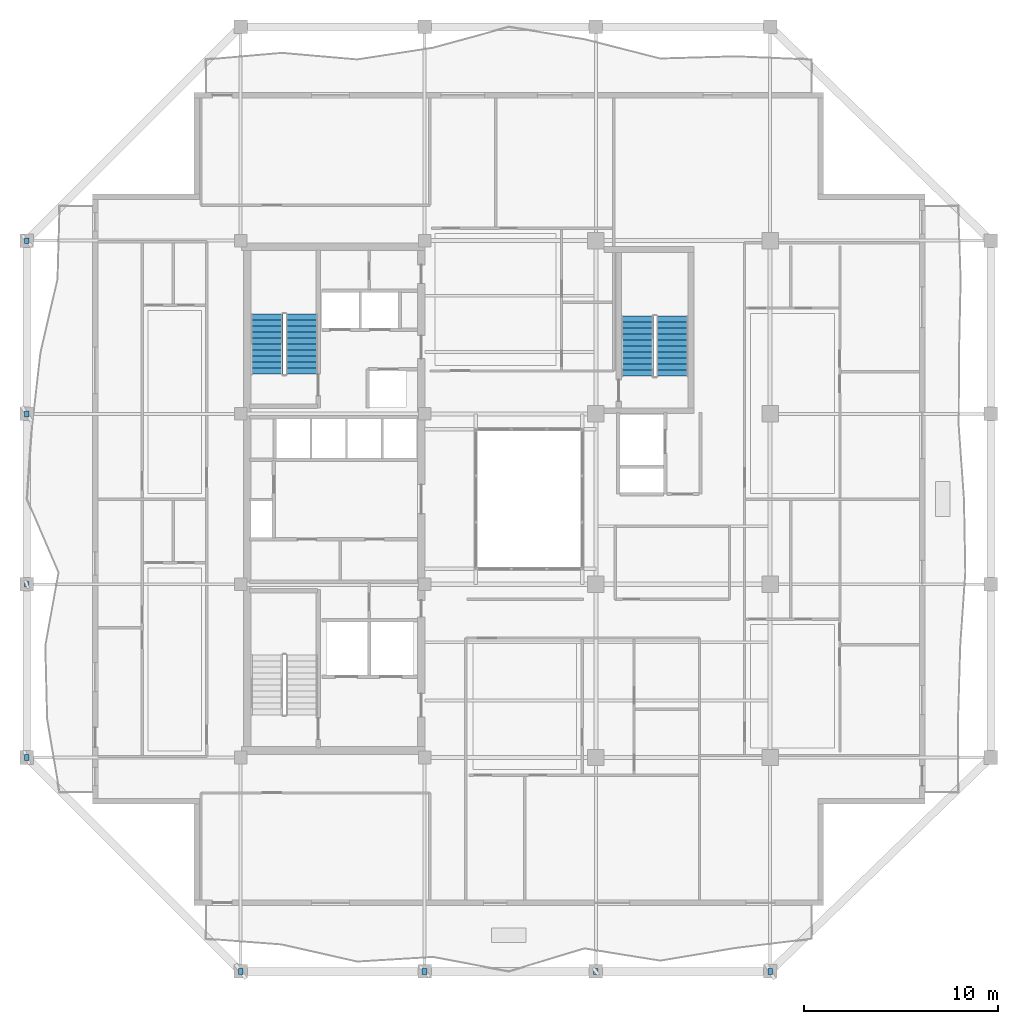
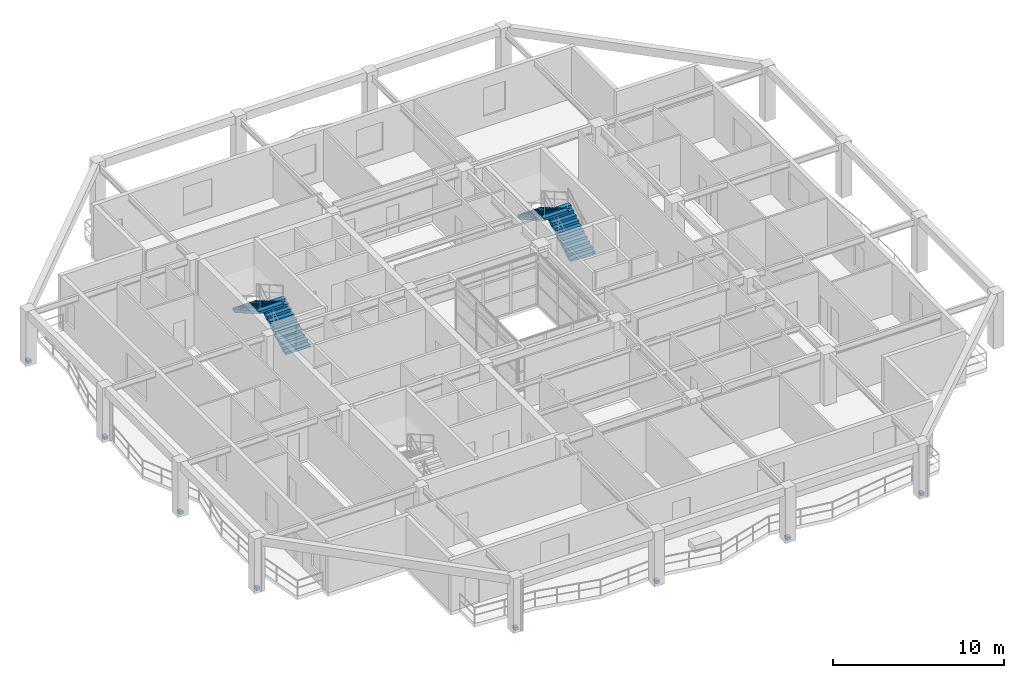
# One storey, part 10 of 15: 8 discrete accessories, 4 stair flights, 2 elements without a shape of their own.
"""IFC4 building model written with IfcOpenShell, lengths in metres."""

import ifcopenshell
import ifcopenshell.guid

model = None  # the IFC model being written
_history = None  # IfcOwnerHistory: only IFC2X3 demands one
_inside = {}  # id of a spatial element -> (the spatial element, [elements in it])
_under = {}  # id of a project, library or spatial element -> (it, [spatial elements below it])
_declared = {}  # id of a project -> (the project, [libraries it declares])
_typed = {}  # id of a type object -> (the type object, [elements of that type])
_made_of = {}  # id of a material, layer set ... -> (it, [elements and type objects made of it])


def new_model(schema):
    """Start an empty IFC model of exactly this schema.

    Asked for "IFC4X3", IfcOpenShell would pick the latest addendum, in which some entities
    have other attributes; the version numbers below select the first issue.
    IFC2X3 requires an IfcOwnerHistory on every rooted entity: one is made here for all.
    """
    global model, _history
    if schema == "IFC4X3":
        model = ifcopenshell.file(schema_version=(4, 3, 0, 0))
    else:
        model = ifcopenshell.file(schema=schema)
    _inside.clear()
    _under.clear()
    _declared.clear()
    _typed.clear()
    _made_of.clear()
    _history = None
    if model.schema == "IFC2X3":
        org = make("IfcOrganization", Name="unknown")
        user = make(
            "IfcPersonAndOrganization",
            ThePerson=make("IfcPerson", FamilyName="unknown"),
            TheOrganization=org,
        )
        app = make(
            "IfcApplication",
            ApplicationDeveloper=org,
            Version="unknown",
            ApplicationFullName="unknown",
            ApplicationIdentifier="unknown",
        )
        _history = make(
            "IfcOwnerHistory",
            OwningUser=user,
            OwningApplication=app,
            ChangeAction="ADDED",
            CreationDate=0,
        )
    return model


def make(cls, **values):
    """One entity of the class cls with the attributes given. An attribute that is None is left unset."""
    return model.create_entity(
        cls, **{name: value for name, value in values.items() if value is not None}
    )


def rooted(cls, **values):
    """An entity with a GlobalId (a new one), such as an element, a storey or a relation."""
    return make(cls, GlobalId=ifcopenshell.guid.new(), OwnerHistory=_history, **values)


def si_unit(unit_type, name, prefix=None):
    """IfcSIUnit, for example si_unit("LENGTHUNIT", "METRE", prefix="MILLI")."""
    return make("IfcSIUnit", UnitType=unit_type, Prefix=prefix, Name=name)


def assignment(units):
    """IfcUnitAssignment: the units of a project."""
    return None if units is None else make("IfcUnitAssignment", Units=units)


def point(xyz):
    """IfcCartesianPoint."""
    return None if xyz is None else make("IfcCartesianPoint", Coordinates=xyz)


def direction(xyz):
    """IfcDirection."""
    return None if xyz is None else make("IfcDirection", DirectionRatios=xyz)


def frame(location, z_axis=None, x_axis=None):
    """IfcAxis2Placement3D, a coordinate frame: its origin and axes. An axis left out is left unset."""
    return make(
        "IfcAxis2Placement3D",
        Location=point(location),
        Axis=direction(z_axis),
        RefDirection=direction(x_axis),
    )


def frame_2d(location, x_axis=None):
    """IfcAxis2Placement2D, a coordinate frame in the plane: its origin and x axis."""
    return make(
        "IfcAxis2Placement2D", Location=point(location), RefDirection=direction(x_axis)
    )


def origin():
    """The frame at (0, 0, 0) with its axes left unset."""
    return frame((0.0, 0.0, 0.0))


def origin_2d():
    """The frame at (0, 0) in the plane with its x axis left unset."""
    return frame_2d((0.0, 0.0))


def place(relative_to, where):
    """IfcLocalPlacement: puts the frame where relative to a parent placement (None: the world)."""
    return make(
        "IfcLocalPlacement", PlacementRelTo=relative_to, RelativePlacement=where
    )


def context(
    kind, dimensions, precision=None, world=None, true_north=None, identifier=None
):
    """IfcGeometricRepresentationContext, for example the 3D "Model" context."""
    return make(
        "IfcGeometricRepresentationContext",
        ContextIdentifier=identifier,
        ContextType=kind,
        CoordinateSpaceDimension=dimensions,
        Precision=precision,
        WorldCoordinateSystem=world,
        TrueNorth=true_north,
    )


def subcontext(parent, identifier, kind, view, scale=None):
    """IfcGeometricRepresentationSubContext, for example "Body" below "Model"."""
    return make(
        "IfcGeometricRepresentationSubContext",
        ContextIdentifier=identifier,
        ContextType=kind,
        ParentContext=parent,
        TargetScale=scale,
        TargetView=view,
    )


def project(units=None, contexts=None):
    """IfcProject with its units and contexts."""
    return rooted(
        "IfcProject",
        Name="project",
        RepresentationContexts=contexts,
        UnitsInContext=assignment(units),
    )


def spatial(cls, under=None, at=None, **own):
    """A site, building, storey or space (cls), placed at a placement, below another one or the project."""
    s = rooted(cls, ObjectPlacement=at, **own)
    if under is not None:
        _under.setdefault(under.id(), (under, []))[1].append(s)
    return s


def polyline(points):
    """IfcPolyline through the points."""
    return make("IfcPolyline", Points=[point(p) for p in points])


def profile(cls, at=None, kind="AREA", **sizes):
    """A parametric profile (cls). Its sizes go by their IFC names, for example OverallWidth=200.0."""
    return make(cls, ProfileType=kind, Position=at, **sizes)


def rectangle(**sizes):
    """IfcRectangleProfileDef."""
    return profile("IfcRectangleProfileDef", **sizes)


def outline(outer, holes=None, kind="AREA"):
    """IfcArbitraryClosedProfileDef: a profile drawn as a closed curve; with holes, ...WithVoids."""
    if holes is None:
        return make("IfcArbitraryClosedProfileDef", ProfileType=kind, OuterCurve=outer)
    return make(
        "IfcArbitraryProfileDefWithVoids",
        ProfileType=kind,
        OuterCurve=outer,
        InnerCurves=holes,
    )


def extrude(swept, where, along, depth):
    """IfcExtrudedAreaSolid: the profile swept, set in the frame where, extruded along a direction by depth."""
    return make(
        "IfcExtrudedAreaSolid",
        SweptArea=swept,
        Position=where,
        ExtrudedDirection=direction(along),
        Depth=depth,
    )


def shape(context_of_items, identifier, shape_type, items):
    """IfcShapeRepresentation: the items that make up one representation, for example the "Body"."""
    return make(
        "IfcShapeRepresentation",
        ContextOfItems=context_of_items,
        RepresentationIdentifier=identifier,
        RepresentationType=shape_type,
        Items=items,
    )


def material(Name=None, Category=None):
    """IfcMaterial."""
    return make("IfcMaterial", Name=Name, Category=Category)


def made_of(thing, what):
    """Note that an element or type object is made of a material, layer set ...; save() writes the relation."""
    if what is not None:
        _made_of.setdefault(what.id(), (what, []))[1].append(thing)
    return thing


def type_object(cls, material=None, **own):
    """A type object (cls), such as IfcWallType, which elements share."""
    return made_of(rooted(cls, **own), material)


def element(
    cls,
    number,
    at=None,
    inside=None,
    cuts=None,
    type_object=None,
    material=None,
    context=None,
    identifier="Body",
    shape_type=None,
    held_by="IfcProductDefinitionShape",
    body=None,
    shapes=None,
    **own,
):
    """One element of the class cls, such as IfcWall. Its Tag is "e" and its number.

    at: its placement. inside: the storey or other place that contains it. cuts: it is an
    opening in that element (IfcRelVoidsElement). A single representation is given by context,
    identifier, shape_type and body (its items); several are given by shapes. held_by: the class
    of the entity that holds the representations. save() writes the other relations.
    """
    e = rooted(cls, Tag="e%d" % number, ObjectPlacement=at, **own)
    if body is not None:
        shapes = [shape(context, identifier, shape_type, body)]
    if shapes is not None:
        e.Representation = make(held_by, Representations=shapes)
    if inside is not None:
        _inside.setdefault(inside.id(), (inside, []))[1].append(e)
    if cuts is not None:
        rooted(
            "IfcRelVoidsElement", RelatingBuildingElement=cuts, RelatedOpeningElement=e
        )
    if type_object is not None:
        _typed.setdefault(type_object.id(), (type_object, []))[1].append(e)
    return made_of(e, material)


def aggregate(whole, parts):
    """IfcRelAggregates: a whole, such as a stair, and the parts it consists of."""
    return rooted("IfcRelAggregates", RelatingObject=whole, RelatedObjects=parts)


def save(model, path):
    """Write the relations noted so far, then the file.

    IfcRelAggregates (storeys below a building ...), IfcRelContainedInSpatialStructure (elements
    in a storey), IfcRelDefinesByType, IfcRelAssociatesMaterial and IfcRelDeclares: one each for
    every whole, place, type object, material and project.
    """
    for whole, parts in _under.values():
        aggregate(whole, parts)
    for where, things in _inside.values():
        rooted(
            "IfcRelContainedInSpatialStructure",
            RelatedElements=things,
            RelatingStructure=where,
        )
    for kind, things in _typed.values():
        rooted("IfcRelDefinesByType", RelatedObjects=things, RelatingType=kind)
    for what, things in _made_of.values():
        rooted("IfcRelAssociatesMaterial", RelatedObjects=things, RelatingMaterial=what)
    for by, libraries in _declared.values():
        rooted("IfcRelDeclares", RelatingContext=by, RelatedDefinitions=libraries)
    model.write(path)


model = new_model("IFC4")

# Units and contexts
model_context = context("Model", 3, precision=1e-05, world=origin(), true_north=direction((0.0, 1.0)))
body_context = subcontext(model_context, "Body", "Model", "MODEL_VIEW")
ifc_project = project(units=[si_unit("LENGTHUNIT", "METRE"), si_unit("AREAUNIT", "SQUARE_METRE"), si_unit("VOLUMEUNIT", "CUBIC_METRE"), si_unit("PLANEANGLEUNIT", "RADIAN"), si_unit("MASSUNIT", "GRAM", prefix="KILO")], contexts=[model_context])

# Site, building, storey
site_placement = place(None, origin())
site = spatial("IfcSite", under=ifc_project, at=site_placement, CompositionType="ELEMENT")
building_placement = place(site_placement, origin())
building = spatial("IfcBuilding", under=site, at=building_placement, Name="Kundavana Baori Tower", CompositionType="ELEMENT")
storey_placement = place(building_placement, frame((0.0, 0.0, 214.10009765625)))
storey = spatial("IfcBuildingStorey", under=building, at=storey_placement, Name="L52", CompositionType="ELEMENT", Elevation=214.10009765625)

# Stair, stair flights
ifc_material_1 = material(Name="Concrete C40/50", Category="concrete")
stair_type = type_object("IfcStairType", Name="STR-DOG-1650", PredefinedType="HALF_TURN_STAIR", material=ifc_material_1)
stair_1_placement = place(storey_placement, origin())
stair_1 = element("IfcStair", 1, at=stair_1_placement, inside=storey, type_object=stair_type, Name="L52 Protected Exit Stair ST2", PredefinedType="HALF_TURN_STAIR")
ifc_material_2 = material(Name="Concrete C40/50", Category="concrete")
stair_flight_type = type_object("IfcStairFlightType", Name="SFL-RC-1650", PredefinedType="STRAIGHT", material=ifc_material_2)
stair_flight_1_placement = place(storey_placement, frame((18.614990234375, 35.050048828125, 0.0), z_axis=(0.0, 0.0, 1.0), x_axis=(0.0, 1.0, 0.0)))
stair_flight_1 = element("IfcStairFlight", 2, at=stair_flight_1_placement, type_object=stair_flight_type, Name="ST2 flight 1", NumberOfRisers=11, NumberOfTreads=10, PredefinedType="STRAIGHT", RiserHeight=0.177272727, TreadLength=0.31, context=body_context, shape_type="SweptSolid", body=[
    extrude(outline(polyline([(0.0, 0.0), (0.0, 0.17724609375), (0.31005859375, 0.17724609375), (0.31005859375, 0.3544921875), (0.6201171875, 0.3544921875), (0.6201171875, 0.53173828125), (0.929931640625, 0.53173828125), (0.929931640625, 0.708984375), (1.239990234375, 0.708984375), (1.239990234375, 0.886474609375), (1.550048828125, 0.886474609375), (1.550048828125, 1.063720703125), (1.860107421875, 1.063720703125), (1.860107421875, 1.240966796875), (2.169921875, 1.240966796875), (2.169921875, 1.418212890625), (2.47998046875, 1.418212890625), (2.47998046875, 1.595458984375), (2.7900390625, 1.595458984375), (2.7900390625, 1.772705078125), (3.10009765625, 1.772705078125), (3.10009765625, 1.949951171875), (3.10009765625, 1.60009765625), (0.302001953125, 0.0), (0.0, 0.0)])), frame((0.0, 0.824951171875, 0.0), z_axis=(0.0, -1.0, 0.0), x_axis=(1.0, 0.0, 0.0)), (0.0, 0.0, 1.0), 1.64990234375),
])
stair_flight_2_placement = place(storey_placement, frame((16.804931640625, 38.14990234375, 1.949951171875), z_axis=(0.0, 0.0, 1.0), x_axis=(0.0, -1.0, 0.0)))
stair_flight_2 = element("IfcStairFlight", 3, at=stair_flight_2_placement, type_object=stair_flight_type, Name="ST2 flight 2", NumberOfRisers=11, NumberOfTreads=10, PredefinedType="STRAIGHT", RiserHeight=0.177272727, TreadLength=0.31, context=body_context, shape_type="SweptSolid", body=[
    extrude(outline(polyline([(0.0, 0.0), (0.0, 0.17724609375), (0.31005859375, 0.17724609375), (0.31005859375, 0.3544921875), (0.6201171875, 0.3544921875), (0.6201171875, 0.53173828125), (0.929931640625, 0.53173828125), (0.929931640625, 0.708984375), (1.239990234375, 0.708984375), (1.239990234375, 0.886474609375), (1.550048828125, 0.886474609375), (1.550048828125, 1.063720703125), (1.860107421875, 1.063720703125), (1.860107421875, 1.240966796875), (2.169921875, 1.240966796875), (2.169921875, 1.418212890625), (2.47998046875, 1.418212890625), (2.47998046875, 1.595458984375), (2.7900390625, 1.595458984375), (2.7900390625, 1.772705078125), (3.10009765625, 1.772705078125), (3.10009765625, 1.949951171875), (3.10009765625, 1.60009765625), (0.302001953125, 0.0), (0.0, 0.0)])), frame((0.0, 0.824951171875, 0.0), z_axis=(0.0, -1.0, 0.0), x_axis=(1.0, 0.0, 0.0)), (0.0, 0.0, 1.0), 1.64990234375),
])
aggregate(stair_1, [stair_flight_1, stair_flight_2])

stair_2_placement = place(storey_placement, origin())
stair_2 = element("IfcStair", 4, at=stair_2_placement, inside=storey, type_object=stair_type, Name="L52 Protected Exit Stair ST3", PredefinedType="HALF_TURN_STAIR")
stair_flight_3_placement = place(storey_placement, frame((37.7548828125, 34.949951171875, 0.0), z_axis=(0.0, 0.0, 1.0), x_axis=(0.0, 1.0, 0.0)))
stair_flight_3 = element("IfcStairFlight", 5, at=stair_flight_3_placement, type_object=stair_flight_type, Name="ST3 flight 1", NumberOfRisers=11, NumberOfTreads=10, PredefinedType="STRAIGHT", RiserHeight=0.177272727, TreadLength=0.31, context=body_context, shape_type="SweptSolid", body=[
    extrude(outline(polyline([(0.0, 0.0), (0.0, 0.17724609375), (0.31005859375, 0.17724609375), (0.31005859375, 0.3544921875), (0.6201171875, 0.3544921875), (0.6201171875, 0.53173828125), (0.929931640625, 0.53173828125), (0.929931640625, 0.708984375), (1.239990234375, 0.708984375), (1.239990234375, 0.886474609375), (1.550048828125, 0.886474609375), (1.550048828125, 1.063720703125), (1.860107421875, 1.063720703125), (1.860107421875, 1.240966796875), (2.169921875, 1.240966796875), (2.169921875, 1.418212890625), (2.47998046875, 1.418212890625), (2.47998046875, 1.595458984375), (2.7900390625, 1.595458984375), (2.7900390625, 1.772705078125), (3.10009765625, 1.772705078125), (3.10009765625, 1.949951171875), (3.10009765625, 1.60009765625), (0.302001953125, 0.0), (0.0, 0.0)])), frame((0.0, 0.824951171875, 0.0), z_axis=(0.0, -1.0, 0.0), x_axis=(1.0, 0.0, 0.0)), (0.0, 0.0, 1.0), 1.64990234375),
])
stair_flight_4_placement = place(storey_placement, frame((35.945068359375, 38.050048828125, 1.949951171875), z_axis=(0.0, 0.0, 1.0), x_axis=(0.0, -1.0, 0.0)))
stair_flight_4 = element("IfcStairFlight", 6, at=stair_flight_4_placement, type_object=stair_flight_type, Name="ST3 flight 2", NumberOfRisers=11, NumberOfTreads=10, PredefinedType="STRAIGHT", RiserHeight=0.177272727, TreadLength=0.31, context=body_context, shape_type="SweptSolid", body=[
    extrude(outline(polyline([(0.0, 0.0), (0.0, 0.17724609375), (0.31005859375, 0.17724609375), (0.31005859375, 0.3544921875), (0.6201171875, 0.3544921875), (0.6201171875, 0.53173828125), (0.929931640625, 0.53173828125), (0.929931640625, 0.708984375), (1.239990234375, 0.708984375), (1.239990234375, 0.886474609375), (1.550048828125, 0.886474609375), (1.550048828125, 1.063720703125), (1.860107421875, 1.063720703125), (1.860107421875, 1.240966796875), (2.169921875, 1.240966796875), (2.169921875, 1.418212890625), (2.47998046875, 1.418212890625), (2.47998046875, 1.595458984375), (2.7900390625, 1.595458984375), (2.7900390625, 1.772705078125), (3.10009765625, 1.772705078125), (3.10009765625, 1.949951171875), (3.10009765625, 1.60009765625), (0.302001953125, 0.0), (0.0, 0.0)])), frame((0.0, 0.824951171875, 0.0), z_axis=(0.0, -1.0, 0.0), x_axis=(1.0, 0.0, 0.0)), (0.0, 0.0, 1.0), 1.64990234375),
])
aggregate(stair_2, [stair_flight_3, stair_flight_4])

# Discrete accessories
ifc_material_3 = material(Name="Structural Steel S355JR", Category="steel")
discrete_accessory_type = type_object("IfcDiscreteAccessoryType", Name="ACC-BRK-FIN", PredefinedType="BRACKET", material=ifc_material_3)
for number, where, z_axis, x_axis, name in (
    (7, (15.449951171875, 4.199951171875, 0.0), (0.0, 0.0, 1.0), (1.0, 0.0, 0.0), "L52 Stainless Fin Anchor Bracket 1"),
    (8, (24.949951171875, 4.199951171875, 0.0), (0.0, 0.0, 1.0), (1.0, 0.0, 0.0), "L52 Stainless Fin Anchor Bracket 2"),
    (9, (33.800048828125, 4.199951171875, 0.0), (0.0, 0.0, 1.0), (1.0, 0.0, 0.0), "L52 Stainless Fin Anchor Bracket 3"),
    (10, (42.800048828125, 4.199951171875, 0.0), (0.0, 0.0, 1.0), (1.0, 0.0, 0.0), "L52 Stainless Fin Anchor Bracket 4"),
    (11, (4.39990234375, 15.25, 0.0), (0.0, 0.0, 1.0), (1.0, 0.0, 0.0), "L52 Stainless Fin Anchor Bracket 5"),
    (12, (4.39990234375, 24.199951171875, 0.0), (0.0, 0.0, 1.0), (1.0, 0.0, 0.0), "L52 Stainless Fin Anchor Bracket 6"),
    (13, (4.39990234375, 33.0, 0.0), (0.0, 0.0, 1.0), (1.0, 0.0, 0.0), "L52 Stainless Fin Anchor Bracket 7"),
    (14, (4.39990234375, 41.949951171875, 0.0), (0.0, 0.0, 1.0), (1.0, 0.0, 0.0), "L52 Stainless Fin Anchor Bracket 8"),
):
    element("IfcDiscreteAccessory", number, at=place(storey_placement, frame(where, z_axis=z_axis, x_axis=x_axis)), inside=storey, type_object=discrete_accessory_type, Name=name, PredefinedType="BRACKET", context=body_context, shape_type="SweptSolid", body=[
        extrude(rectangle(XDim=0.239990234375, YDim=0.300048828125, at=origin_2d()), origin(), (0.0, 0.0, 1.0), 0.219970703125),
    ])

save(model, "model.ifc")
